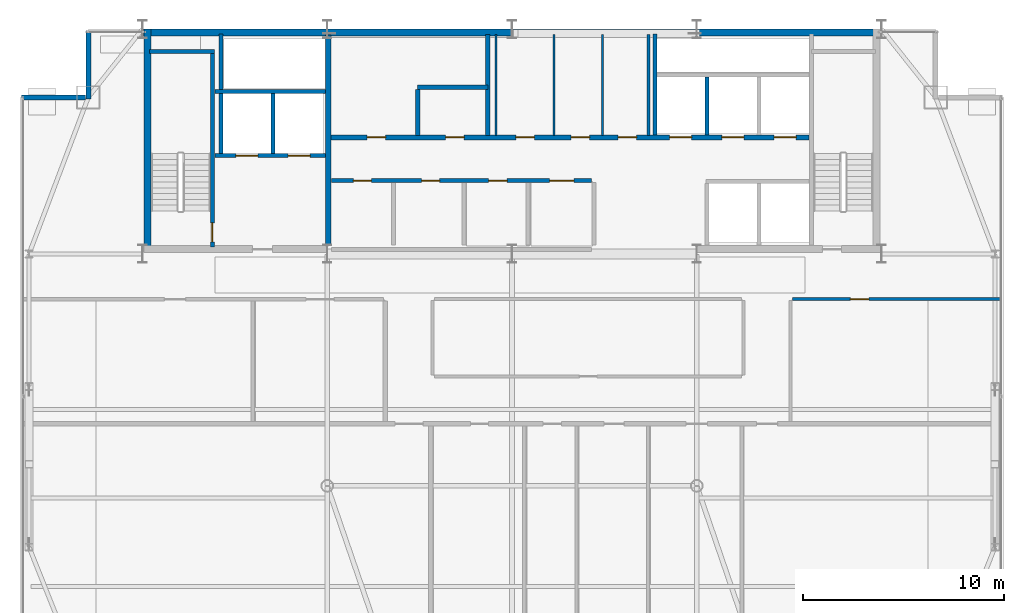
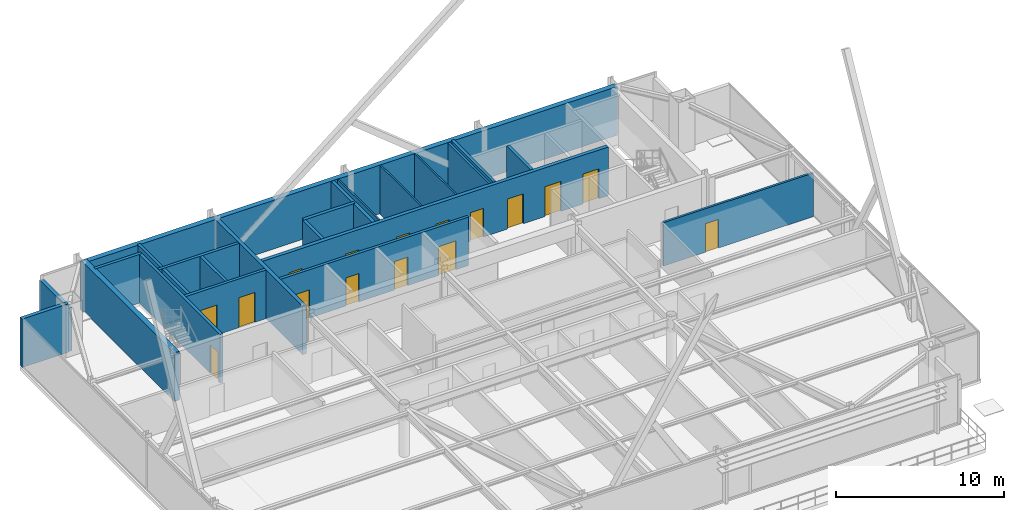
# One storey, part 29 of 33: 23 walls, 16 doors, 16 openings.
"""IFC4 building model written with IfcOpenShell, lengths in metres."""

from ifc_helpers import new_model, si_unit, direction, frame, frame_2d, origin, place, context, subcontext, project, spatial, rectangle, extrude, source, transform, mapped, material, layer, layer_set, type_object, type_shapes, element, fill, save


model = new_model("IFC4")

# Units and contexts
model_context = context("Model", 3, precision=1e-05, world=origin(), true_north=direction((0.0, 1.0)))
body_context = subcontext(model_context, "Body", "Model", "MODEL_VIEW")
ifc_project = project(units=[si_unit("LENGTHUNIT", "METRE"), si_unit("AREAUNIT", "SQUARE_METRE"), si_unit("VOLUMEUNIT", "CUBIC_METRE"), si_unit("PLANEANGLEUNIT", "RADIAN"), si_unit("MASSUNIT", "GRAM", prefix="KILO")], contexts=[model_context])

# Site, building, storey
site_placement = place(None, origin())
site = spatial("IfcSite", under=ifc_project, at=site_placement, CompositionType="ELEMENT")
building_placement = place(site_placement, origin())
building = spatial("IfcBuilding", under=site, at=building_placement, Name="Varnel Quay Broadcast Tower", CompositionType="ELEMENT")
storey_placement = place(building_placement, frame((0.0, 0.0, 199.800048828125)))
storey = spatial("IfcBuildingStorey", under=building, at=storey_placement, Name="L49", CompositionType="ELEMENT", Elevation=199.800048828125)

# Wall, opening, door
ifc_material_1 = material(Name="Concrete CSA A23.3 C50/60", Category="concrete")
ifc_layer_1 = layer(ifc_material_1, 0.199951171875, Name="Concrete CSA A23.3 C50/60")
ifc_layer_set_1 = layer_set([ifc_layer_1], Name="Concrete CSA A23.3 C50/60")
wall_type_1 = type_object("IfcWallType", Name="Wall_CoreShaftShear200", PredefinedType="SHEAR", material=ifc_layer_set_1)
wall_1_placement = place(storey_placement, frame((19.080078125, 35.949951171875, 0.0), z_axis=(0.0, 0.0, 1.0), x_axis=(0.0, 1.0, 0.0)))
wall_1 = element("IfcWall", 1, at=wall_1_placement, inside=storey, type_object=wall_type_1, Name="L49 Stair 1 East Structural Wall", PredefinedType="SHEAR", context=body_context, shape_type="SweptSolid", body=[
    extrude(rectangle(XDim=9.650146484375, YDim=0.199951171875, at=frame_2d((4.8251953125, 0.0))), origin(), (0.0, 0.0, 1.0), 3.550048828125),
])
opening_1_placement = place(wall_1_placement, frame((0.25, 0.0, 0.0)))
opening_1 = element("IfcOpeningElement", 2, at=opening_1_placement, cuts=wall_1, Name="Opening D-L49-S1", PredefinedType="OPENING", context=body_context, shape_type="SweptSolid", body=[
    extrude(rectangle(XDim=0.949951171875, YDim=2.10009765625, at=frame_2d((0.47509765625, 1.050048828125))), frame((0.0, 0.10986328125, 0.0), z_axis=(0.0, -1.0, 0.0), x_axis=(1.0, 0.0, 0.0)), (0.0, 0.0, 1.0), 0.219970703125),
])
ifc_material_2 = material(Name="Insulated Fire-Rated Hollow Steel Door", Category="steel")
door_type_1 = type_object("IfcDoorType", Name="Door_FireStair950", OperationType="NOTDEFINED", PredefinedType="DOOR", material=ifc_material_2)
shared_shape_1 = source(origin(), body_context, "Body", "SweptSolid", [
    extrude(rectangle(XDim=0.949951171875, YDim=2.10009765625, at=frame_2d((0.47509765625, 1.050048828125))), frame((0.0, 0.02490234375, 0.0), z_axis=(0.0, -1.0, 0.0), x_axis=(1.0, 0.0, 0.0)), (0.0, 0.0, 1.0), 0.050048828125),
])
type_shapes(door_type_1, [shared_shape_1])
door_1_placement = place(opening_1_placement, origin())
door_1 = element("IfcDoor", 3, at=door_1_placement, inside=storey, type_object=door_type_1, Name="L49 Stair 1 Fire Door", OperationType="SINGLE_SWING_LEFT", OverallHeight=2.10009765625, OverallWidth=0.949951171875, PredefinedType="DOOR", context=body_context, shape_type="MappedRepresentation", body=[
    mapped(shared_shape_1, transform((0.0, 0.0, 0.0), x_axis=(1.0, 0.0, 0.0), y_axis=(0.0, 1.0, 0.0), z_axis=(0.0, 0.0, 1.0), scale=1.0)),
])
fill(opening_1, door_1)

# Wall
wall_2_placement = place(storey_placement, frame((15.949951171875, 45.679931640625, 0.0), z_axis=(0.0, 0.0, 1.0), x_axis=(1.0, 0.0, 0.0)))
element("IfcWall", 4, at=wall_2_placement, inside=storey, type_object=wall_type_1, Name="L49 Stair 1 North Structural Wall", PredefinedType="SHEAR", context=body_context, shape_type="SweptSolid", body=[
    extrude(rectangle(XDim=3.22998046875, YDim=0.199951171875, at=frame_2d((1.614990234375, 0.0))), origin(), (0.0, 0.0, 1.0), 3.550048828125),
])

# Wall, openings, doors
wall_3_placement = place(storey_placement, frame((19.199951171875, 40.5, 0.0), z_axis=(0.0, 0.0, 1.0), x_axis=(1.0, 0.0, 0.0)))
wall_3 = element("IfcWall", 5, at=wall_3_placement, inside=storey, type_object=wall_type_1, Name="L49 Firefighter Lift Shaft Front Wall", PredefinedType="SHEAR", context=body_context, shape_type="SweptSolid", body=[
    extrude(rectangle(XDim=5.52001953125, YDim=0.199951171875, at=frame_2d((2.760009765625, 0.0))), origin(), (0.0, 0.0, 1.0), 3.550048828125),
])
opening_2_placement = place(wall_3_placement, frame((1.050048828125, 0.0, 0.0)))
opening_2 = element("IfcOpeningElement", 6, at=opening_2_placement, cuts=wall_3, Name="Opening LD-L49-FE1", PredefinedType="OPENING", context=body_context, shape_type="SweptSolid", body=[
    extrude(rectangle(XDim=1.10009765625, YDim=2.179931640625, at=frame_2d((0.550048828125, 1.08984375))), frame((0.0, 0.10986328125, 0.0), z_axis=(0.0, -1.0, 0.0), x_axis=(1.0, 0.0, 0.0)), (0.0, 0.0, 1.0), 0.219970703125),
])
opening_3_placement = place(wall_3_placement, frame((3.64990234375, 0.0, 0.0)))
opening_3 = element("IfcOpeningElement", 7, at=opening_3_placement, cuts=wall_3, Name="Opening LD-L49-FE2", PredefinedType="OPENING", context=body_context, shape_type="SweptSolid", body=[
    extrude(rectangle(XDim=1.10009765625, YDim=2.179931640625, at=frame_2d((0.550048828125, 1.08984375))), frame((0.0, 0.10986328125, 0.0), z_axis=(0.0, -1.0, 0.0), x_axis=(1.0, 0.0, 0.0)), (0.0, 0.0, 1.0), 0.219970703125),
])
ifc_material_3 = material(Name="Brushed Bronze-Stainless Lift Car & Sliding Doors", Category="steel")
door_type_2 = type_object("IfcDoorType", Name="Door_LiftLanding1100", OperationType="SLIDING_TO_LEFT", PredefinedType="DOOR", material=ifc_material_3)
shared_shape_2 = source(origin(), body_context, "Body", "SweptSolid", [
    extrude(rectangle(XDim=1.10009765625, YDim=2.179931640625, at=frame_2d((0.550048828125, 1.08984375))), frame((0.0, 0.02490234375, 0.0), z_axis=(0.0, -1.0, 0.0), x_axis=(1.0, 0.0, 0.0)), (0.0, 0.0, 1.0), 0.050048828125),
])
type_shapes(door_type_2, [shared_shape_2])
door_2_placement = place(opening_2_placement, frame((1.10009765625, 0.0, 0.0), z_axis=(0.0, 0.0, 1.0), x_axis=(-1.0, 0.0, 0.0)))
door_2 = element("IfcDoor", 8, at=door_2_placement, inside=storey, type_object=door_type_2, Name="L49 Firefighter Lift FE-01 Landing Door", OperationType="SLIDING_TO_LEFT", OverallHeight=2.179931640625, OverallWidth=1.10009765625, PredefinedType="DOOR", context=body_context, shape_type="MappedRepresentation", body=[
    mapped(shared_shape_2, transform((0.0, 0.0, 0.0), x_axis=(1.0, 0.0, 0.0), y_axis=(0.0, 1.0, 0.0), z_axis=(0.0, 0.0, 1.0), scale=1.0)),
])
fill(opening_2, door_2)
door_3_placement = place(opening_3_placement, frame((1.10009765625, 0.0, 0.0), z_axis=(0.0, 0.0, 1.0), x_axis=(-1.0, 0.0, 0.0)))
door_3 = element("IfcDoor", 9, at=door_3_placement, inside=storey, type_object=door_type_2, Name="L49 Firefighter Lift FE-02 Landing Door", OperationType="SLIDING_TO_RIGHT", OverallHeight=2.179931640625, OverallWidth=1.10009765625, PredefinedType="DOOR", context=body_context, shape_type="MappedRepresentation", body=[
    mapped(shared_shape_2, transform((0.0, 0.0, 0.0), x_axis=(1.0, 0.0, 0.0), y_axis=(0.0, 1.0, 0.0), z_axis=(0.0, 0.0, 1.0), scale=1.0)),
])
fill(opening_3, door_3)

# Walls
wall_4_placement = place(storey_placement, frame((19.199951171875, 43.699951171875, 0.0), z_axis=(0.0, 0.0, 1.0), x_axis=(1.0, 0.0, 0.0)))
element("IfcWall", 10, at=wall_4_placement, inside=storey, type_object=wall_type_1, Name="L49 Firefighter Lift Shaft Rear Wall", PredefinedType="SHEAR", context=body_context, shape_type="SweptSolid", body=[
    extrude(rectangle(XDim=5.52001953125, YDim=0.199951171875, at=frame_2d((2.760009765625, 0.0))), origin(), (0.0, 0.0, 1.0), 3.550048828125),
])
wall_5_placement = place(storey_placement, frame((22.10009765625, 40.60009765625, 0.0), z_axis=(0.0, 0.0, 1.0), x_axis=(0.0, 1.0, 0.0)))
element("IfcWall", 11, at=wall_5_placement, inside=storey, type_object=wall_type_1, Name="L49 Firefighter Lift Shaft Divider", PredefinedType="SHEAR", context=body_context, shape_type="SweptSolid", body=[
    extrude(rectangle(XDim=3.0, YDim=0.199951171875, at=frame_2d((1.5, 0.0))), origin(), (0.0, 0.0, 1.0), 3.550048828125),
])
wall_6_placement = place(storey_placement, frame((19.5, 40.60009765625, 0.0), z_axis=(0.0, 0.0, 1.0), x_axis=(0.0, 1.0, 0.0)))
element("IfcWall", 12, at=wall_6_placement, inside=storey, type_object=wall_type_1, Name="L49 Firefighter Lift Shaft West Wall", PredefinedType="SHEAR", context=body_context, shape_type="SweptSolid", body=[
    extrude(rectangle(XDim=5.949951171875, YDim=0.199951171875, at=frame_2d((2.97509765625, 0.0))), origin(), (0.0, 0.0, 1.0), 3.550048828125),
])
wall_7_placement = place(storey_placement, frame((41.1201171875, 41.530029296875, 0.0), z_axis=(0.0, 0.0, 1.0), x_axis=(0.0, 1.0, 0.0)))
element("IfcWall", 13, at=wall_7_placement, inside=storey, type_object=wall_type_1, Name="L49 High-Rise Lift Shaft Divider 1", PredefinedType="SHEAR", context=body_context, shape_type="SweptSolid", body=[
    extrude(rectangle(XDim=5.02001953125, YDim=0.199951171875, at=frame_2d((2.510009765625, 0.0))), origin(), (0.0, 0.0, 1.0), 3.550048828125),
])
wall_8_placement = place(storey_placement, frame((43.699951171875, 41.530029296875, 0.0), z_axis=(0.0, 0.0, 1.0), x_axis=(0.0, 1.0, 0.0)))
element("IfcWall", 14, at=wall_8_placement, inside=storey, type_object=wall_type_1, Name="L49 High-Rise Lift Shaft Divider 2", PredefinedType="SHEAR", context=body_context, shape_type="SweptSolid", body=[
    extrude(rectangle(XDim=2.869873046875, YDim=0.199951171875, at=frame_2d((1.43505859375, 0.0))), origin(), (0.0, 0.0, 1.0), 3.550048828125),
])
ifc_layer_2 = layer(ifc_material_1, 0.25, Name="Concrete CSA A23.3 C50/60")
ifc_layer_set_2 = layer_set([ifc_layer_2], Name="Concrete CSA A23.3 C50/60")
wall_type_2 = type_object("IfcWallType", Name="Wall_CoreShaftShear250", PredefinedType="SHEAR", material=ifc_layer_set_2)
wall_9_placement = place(storey_placement, frame((24.85009765625, 36.050048828125, 0.0), z_axis=(0.0, 0.0, 1.0), x_axis=(0.0, 1.0, 0.0)))
element("IfcWall", 15, at=wall_9_placement, inside=storey, type_object=wall_type_2, Name="L49 Firefighting Lobby East Structural Wall", PredefinedType="SHEAR", context=body_context, shape_type="SweptSolid", body=[
    extrude(rectangle(XDim=10.449951171875, YDim=0.25, at=frame_2d((5.22509765625, 0.0))), origin(), (0.0, 0.0, 1.0), 3.550048828125),
])

# Wall, openings, doors
wall_10_placement = place(storey_placement, frame((24.97998046875, 41.39990234375, 0.0), z_axis=(0.0, 0.0, 1.0), x_axis=(1.0, 0.0, 0.0)))
wall_10 = element("IfcWall", 16, at=wall_10_placement, inside=storey, type_object=wall_type_2, Name="L49 North Lift Bank & Reclaimed Suite Wall", PredefinedType="SHEAR", context=body_context, shape_type="SweptSolid", body=[
    extrude(rectangle(XDim=23.820068359375, YDim=0.25, at=frame_2d((11.91015625, 0.0))), origin(), (0.0, 0.0, 1.0), 3.550048828125),
])
opening_4_placement = place(wall_10_placement, frame((16.8701171875, 0.0, 0.0)))
opening_4 = element("IfcOpeningElement", 17, at=opening_4_placement, cuts=wall_10, Name="Opening LD-L49-PH-01", PredefinedType="OPENING", context=body_context, shape_type="SweptSolid", body=[
    extrude(rectangle(XDim=1.10009765625, YDim=2.179931640625, at=frame_2d((0.550048828125, 1.08984375))), frame((0.0, 0.135009765625, 0.0), z_axis=(0.0, -1.0, 0.0), x_axis=(1.0, 0.0, 0.0)), (0.0, 0.0, 1.0), 0.27001953125),
])
opening_5_placement = place(wall_10_placement, frame((19.469970703125, 0.0, 0.0)))
opening_5 = element("IfcOpeningElement", 18, at=opening_5_placement, cuts=wall_10, Name="Opening LD-L49-PH-02", PredefinedType="OPENING", context=body_context, shape_type="SweptSolid", body=[
    extrude(rectangle(XDim=1.10009765625, YDim=2.179931640625, at=frame_2d((0.550048828125, 1.08984375))), frame((0.0, 0.135009765625, 0.0), z_axis=(0.0, -1.0, 0.0), x_axis=(1.0, 0.0, 0.0)), (0.0, 0.0, 1.0), 0.27001953125),
])
opening_6_placement = place(wall_10_placement, frame((22.070068359375, 0.0, 0.0)))
opening_6 = element("IfcOpeningElement", 19, at=opening_6_placement, cuts=wall_10, Name="Opening LD-L49-PH-03", PredefinedType="OPENING", context=body_context, shape_type="SweptSolid", body=[
    extrude(rectangle(XDim=1.10009765625, YDim=2.179931640625, at=frame_2d((0.550048828125, 1.08984375))), frame((0.0, 0.135009765625, 0.0), z_axis=(0.0, -1.0, 0.0), x_axis=(1.0, 0.0, 0.0)), (0.0, 0.0, 1.0), 0.27001953125),
])
opening_7_placement = place(wall_10_placement, frame((1.81005859375, 0.0, 0.0)))
opening_7 = element("IfcOpeningElement", 20, at=opening_7_placement, cuts=wall_10, Name="Opening D-L49-RECA1", PredefinedType="OPENING", context=body_context, shape_type="SweptSolid", body=[
    extrude(rectangle(XDim=0.919921875, YDim=2.080078125, at=frame_2d((0.4599609375, 1.0400390625))), frame((0.0, 0.135009765625, 0.0), z_axis=(0.0, -1.0, 0.0), x_axis=(1.0, 0.0, 0.0)), (0.0, 0.0, 1.0), 0.27001953125),
])
opening_8_placement = place(wall_10_placement, frame((5.7099609375, 0.0, 0.0)))
opening_8 = element("IfcOpeningElement", 21, at=opening_8_placement, cuts=wall_10, Name="Opening D-L49-RECA2", PredefinedType="OPENING", context=body_context, shape_type="SweptSolid", body=[
    extrude(rectangle(XDim=0.919921875, YDim=2.080078125, at=frame_2d((0.4599609375, 1.0400390625))), frame((0.0, 0.135009765625, 0.0), z_axis=(0.0, -1.0, 0.0), x_axis=(1.0, 0.0, 0.0)), (0.0, 0.0, 1.0), 0.27001953125),
])
opening_9_placement = place(wall_10_placement, frame((9.2099609375, 0.0, 0.0)))
opening_9 = element("IfcOpeningElement", 22, at=opening_9_placement, cuts=wall_10, Name="Opening D-L49-RECB1", PredefinedType="OPENING", context=body_context, shape_type="SweptSolid", body=[
    extrude(rectangle(XDim=0.919921875, YDim=2.080078125, at=frame_2d((0.4599609375, 1.0400390625))), frame((0.0, 0.135009765625, 0.0), z_axis=(0.0, -1.0, 0.0), x_axis=(1.0, 0.0, 0.0)), (0.0, 0.0, 1.0), 0.27001953125),
])
opening_10_placement = place(wall_10_placement, frame((11.9599609375, 0.0, 0.0)))
opening_10 = element("IfcOpeningElement", 23, at=opening_10_placement, cuts=wall_10, Name="Opening D-L49-RECB2", PredefinedType="OPENING", context=body_context, shape_type="SweptSolid", body=[
    extrude(rectangle(XDim=0.919921875, YDim=2.080078125, at=frame_2d((0.4599609375, 1.0400390625))), frame((0.0, 0.135009765625, 0.0), z_axis=(0.0, -1.0, 0.0), x_axis=(1.0, 0.0, 0.0)), (0.0, 0.0, 1.0), 0.27001953125),
])
opening_11_placement = place(wall_10_placement, frame((14.31005859375, 0.0, 0.0)))
opening_11 = element("IfcOpeningElement", 24, at=opening_11_placement, cuts=wall_10, Name="Opening D-L49-RECB3", PredefinedType="OPENING", context=body_context, shape_type="SweptSolid", body=[
    extrude(rectangle(XDim=0.919921875, YDim=2.080078125, at=frame_2d((0.4599609375, 1.0400390625))), frame((0.0, 0.135009765625, 0.0), z_axis=(0.0, -1.0, 0.0), x_axis=(1.0, 0.0, 0.0)), (0.0, 0.0, 1.0), 0.27001953125),
])
door_4_placement = place(opening_4_placement, frame((1.10009765625, 0.0, 0.0), z_axis=(0.0, 0.0, 1.0), x_axis=(-1.0, 0.0, 0.0)))
door_4 = element("IfcDoor", 25, at=door_4_placement, inside=storey, type_object=door_type_2, Name="L49 Lift PH-01 Landing Door", OperationType="SLIDING_TO_LEFT", OverallHeight=2.179931640625, OverallWidth=1.10009765625, PredefinedType="DOOR", context=body_context, shape_type="MappedRepresentation", body=[
    mapped(shared_shape_2, transform((0.0, 0.0, 0.0), x_axis=(1.0, 0.0, 0.0), y_axis=(0.0, 1.0, 0.0), z_axis=(0.0, 0.0, 1.0), scale=1.0)),
])
fill(opening_4, door_4)
door_5_placement = place(opening_5_placement, frame((1.10009765625, 0.0, 0.0), z_axis=(0.0, 0.0, 1.0), x_axis=(-1.0, 0.0, 0.0)))
door_5 = element("IfcDoor", 26, at=door_5_placement, inside=storey, type_object=door_type_2, Name="L49 Lift PH-02 Landing Door", OperationType="SLIDING_TO_LEFT", OverallHeight=2.179931640625, OverallWidth=1.10009765625, PredefinedType="DOOR", context=body_context, shape_type="MappedRepresentation", body=[
    mapped(shared_shape_2, transform((0.0, 0.0, 0.0), x_axis=(1.0, 0.0, 0.0), y_axis=(0.0, 1.0, 0.0), z_axis=(0.0, 0.0, 1.0), scale=1.0)),
])
fill(opening_5, door_5)
door_6_placement = place(opening_6_placement, frame((1.10009765625, 0.0, 0.0), z_axis=(0.0, 0.0, 1.0), x_axis=(-1.0, 0.0, 0.0)))
door_6 = element("IfcDoor", 27, at=door_6_placement, inside=storey, type_object=door_type_2, Name="L49 Lift PH-03 Landing Door", OperationType="SLIDING_TO_LEFT", OverallHeight=2.179931640625, OverallWidth=1.10009765625, PredefinedType="DOOR", context=body_context, shape_type="MappedRepresentation", body=[
    mapped(shared_shape_2, transform((0.0, 0.0, 0.0), x_axis=(1.0, 0.0, 0.0), y_axis=(0.0, 1.0, 0.0), z_axis=(0.0, 0.0, 1.0), scale=1.0)),
])
fill(opening_6, door_6)
ifc_material_4 = material(Name="Solid-Core Fire-Rated Acoustic Oak Veneer Door", Category="wood")
door_type_3 = type_object("IfcDoorType", Name="Door_Office920", OperationType="NOTDEFINED", PredefinedType="DOOR", material=ifc_material_4)
shared_shape_3 = source(origin(), body_context, "Body", "SweptSolid", [
    extrude(rectangle(XDim=0.919921875, YDim=2.080078125, at=frame_2d((0.4599609375, 1.0400390625))), frame((0.0, 0.02490234375, 0.0), z_axis=(0.0, -1.0, 0.0), x_axis=(1.0, 0.0, 0.0)), (0.0, 0.0, 1.0), 0.050048828125),
])
type_shapes(door_type_3, [shared_shape_3])
door_7_placement = place(opening_7_placement, origin())
door_7 = element("IfcDoor", 28, at=door_7_placement, inside=storey, type_object=door_type_3, Name="L49 Signal Routing Suite Door", OperationType="SINGLE_SWING_RIGHT", OverallHeight=2.080078125, OverallWidth=0.919921875, PredefinedType="DOOR", context=body_context, shape_type="MappedRepresentation", body=[
    mapped(shared_shape_3, transform((0.0, 0.0, 0.0), x_axis=(1.0, 0.0, 0.0), y_axis=(0.0, 1.0, 0.0), z_axis=(0.0, 0.0, 1.0), scale=1.0)),
])
fill(opening_7, door_7)
door_8_placement = place(opening_8_placement, origin())
door_8 = element("IfcDoor", 29, at=door_8_placement, inside=storey, type_object=door_type_3, Name="L49 Archive Media Store Door", OperationType="SINGLE_SWING_LEFT", OverallHeight=2.080078125, OverallWidth=0.919921875, PredefinedType="DOOR", context=body_context, shape_type="MappedRepresentation", body=[
    mapped(shared_shape_3, transform((0.0, 0.0, 0.0), x_axis=(1.0, 0.0, 0.0), y_axis=(0.0, 1.0, 0.0), z_axis=(0.0, 0.0, 1.0), scale=1.0)),
])
fill(opening_8, door_8)
door_9_placement = place(opening_9_placement, origin())
door_9 = element("IfcDoor", 30, at=door_9_placement, inside=storey, type_object=door_type_3, Name="L49 Audio Patch Closet Door", OperationType="SINGLE_SWING_RIGHT", OverallHeight=2.080078125, OverallWidth=0.919921875, PredefinedType="DOOR", context=body_context, shape_type="MappedRepresentation", body=[
    mapped(shared_shape_3, transform((0.0, 0.0, 0.0), x_axis=(1.0, 0.0, 0.0), y_axis=(0.0, 1.0, 0.0), z_axis=(0.0, 0.0, 1.0), scale=1.0)),
])
fill(opening_9, door_9)
door_10_placement = place(opening_10_placement, origin())
door_10 = element("IfcDoor", 31, at=door_10_placement, inside=storey, type_object=door_type_3, Name="L49 Bureau Reference Archive Door", OperationType="SINGLE_SWING_LEFT", OverallHeight=2.080078125, OverallWidth=0.919921875, PredefinedType="DOOR", context=body_context, shape_type="MappedRepresentation", body=[
    mapped(shared_shape_3, transform((0.0, 0.0, 0.0), x_axis=(1.0, 0.0, 0.0), y_axis=(0.0, 1.0, 0.0), z_axis=(0.0, 0.0, 1.0), scale=1.0)),
])
fill(opening_10, door_10)
door_11_placement = place(opening_11_placement, origin())
door_11 = element("IfcDoor", 32, at=door_11_placement, inside=storey, type_object=door_type_3, Name="L49 Crew Espresso Niche Door", OperationType="SINGLE_SWING_RIGHT", OverallHeight=2.080078125, OverallWidth=0.919921875, PredefinedType="DOOR", context=body_context, shape_type="MappedRepresentation", body=[
    mapped(shared_shape_3, transform((0.0, 0.0, 0.0), x_axis=(1.0, 0.0, 0.0), y_axis=(0.0, 1.0, 0.0), z_axis=(0.0, 0.0, 1.0), scale=1.0)),
])
fill(opening_11, door_11)

# Walls
ifc_layer_3 = layer(ifc_material_1, 0.35009765625, Name="Concrete CSA A23.3 C50/60")
ifc_layer_set_3 = layer_set([ifc_layer_3], Name="Concrete CSA A23.3 C50/60")
wall_type_3 = type_object("IfcWallType", Name="Wall_CoreShearExt350", PredefinedType="SHEAR", material=ifc_layer_set_3)
wall_11_placement = place(storey_placement, frame((15.60009765625, 46.625, 0.0), z_axis=(0.0, 0.0, 1.0), x_axis=(1.0, 0.0, 0.0)))
element("IfcWall", 33, at=wall_11_placement, inside=storey, type_object=wall_type_3, Name="L49 North Core Shear Wall", PredefinedType="SHEAR", context=body_context, shape_type="SweptSolid", body=[
    extrude(rectangle(XDim=36.7998046875, YDim=0.35009765625, at=frame_2d((18.39990234375, 0.0))), origin(), (0.0, 0.0, 1.0), 3.550048828125),
])
ifc_layer_4 = layer(ifc_material_1, 0.35009765625, Name="Concrete CSA A23.3 C50/60")
ifc_layer_set_4 = layer_set([ifc_layer_4], Name="Concrete CSA A23.3 C50/60")
wall_type_4 = type_object("IfcWallType", Name="Wall_CoreShearInt350", PredefinedType="SHEAR", material=ifc_layer_set_4)
wall_12_placement = place(storey_placement, frame((15.844970703125, 35.669921875, 0.0), z_axis=(0.0, 0.0, 1.0), x_axis=(0.0, 1.0, 0.0)))
element("IfcWall", 34, at=wall_12_placement, inside=storey, type_object=wall_type_4, Name="L49 West Core Shear Wall", PredefinedType="SHEAR", context=body_context, shape_type="SweptSolid", body=[
    extrude(rectangle(XDim=11.130126953125, YDim=0.35009765625, at=frame_2d((5.56494140625, 0.0))), origin(), (0.0, 0.0, 1.0), 3.550048828125),
])
ifc_material_5 = material(Name="Precast Architectural Concrete C40/50", Category="concrete")
ifc_layer_5 = layer(ifc_material_5, 0.25, Name="Precast Architectural Concrete C40/50")
ifc_layer_set_5 = layer_set([ifc_layer_5], Name="Precast Architectural Concrete C40/50")
wall_type_5 = type_object("IfcWallType", Name="Wall_ExtTerrace250", PredefinedType="SOLIDWALL", material=ifc_layer_set_5)
wall_13_placement = place(storey_placement, frame((9.580078125, 43.39990234375, 0.0), z_axis=(0.0, 0.0, 1.0), x_axis=(1.0, 0.0, 0.0)))
element("IfcWall", 35, at=wall_13_placement, inside=storey, type_object=wall_type_5, Name="L49 Mega-Column Notch Cladding Wall NNW1", PredefinedType="SOLIDWALL", context=body_context, shape_type="SweptSolid", body=[
    extrude(rectangle(XDim=3.18994140625, YDim=0.25, at=frame_2d((1.594970703125, 0.0))), origin(), (0.0, 0.0, 1.0), 3.530029296875),
])
wall_14_placement = place(storey_placement, frame((12.89990234375, 43.320068359375, 0.0), z_axis=(0.0, 0.0, 1.0), x_axis=(0.0, 1.0, 0.0)))
element("IfcWall", 36, at=wall_14_placement, inside=storey, type_object=wall_type_5, Name="L49 Mega-Column Notch Cladding Wall NNW2", PredefinedType="SOLIDWALL", context=body_context, shape_type="SweptSolid", body=[
    extrude(rectangle(XDim=3.39990234375, YDim=0.25, at=frame_2d((1.699951171875, 0.0))), origin(), (0.0, 0.0, 1.0), 3.1708984375),
])

# Wall, openings, doors
ifc_material_6 = material(Name="Concrete Blockwork Fire Enclosure C40/50", Category="masonry")
ifc_layer_6 = layer(ifc_material_6, 0.199951171875, Name="Concrete Blockwork Fire Enclosure C40/50")
ifc_layer_set_6 = layer_set([ifc_layer_6], Name="Concrete Blockwork Fire Enclosure C40/50")
wall_type_6 = type_object("IfcWallType", Name="Wall_FireShaft200", PredefinedType="SOLIDWALL", material=ifc_layer_set_6)
wall_15_placement = place(storey_placement, frame((25.0, 39.25, 0.0), z_axis=(0.0, 0.0, 1.0), x_axis=(1.0, 0.0, 0.0)))
wall_15 = element("IfcWall", 37, at=wall_15_placement, inside=storey, type_object=wall_type_6, Name="L49 Accessible Universal Washroom Partition 3", PredefinedType="SOLIDWALL", context=body_context, shape_type="SweptSolid", body=[
    extrude(rectangle(XDim=12.949951171875, YDim=0.199951171875, at=frame_2d((6.47509765625, 0.0))), origin(), (0.0, 0.0, 1.0), 3.530029296875),
])
opening_12_placement = place(wall_15_placement, frame((1.10009765625, 0.0, 0.0)))
opening_12 = element("IfcOpeningElement", 38, at=opening_12_placement, cuts=wall_15, Name="Opening D-L49-01", PredefinedType="OPENING", context=body_context, shape_type="SweptSolid", body=[
    extrude(rectangle(XDim=0.89990234375, YDim=2.06005859375, at=frame_2d((0.449951171875, 1.030029296875))), frame((0.0, 0.10986328125, 0.0), z_axis=(0.0, -1.0, 0.0), x_axis=(1.0, 0.0, 0.0)), (0.0, 0.0, 1.0), 0.219970703125),
])
opening_13_placement = place(wall_15_placement, frame((4.5, 0.0, 0.0)))
opening_13 = element("IfcOpeningElement", 39, at=opening_13_placement, cuts=wall_15, Name="Opening D-L49-02", PredefinedType="OPENING", context=body_context, shape_type="SweptSolid", body=[
    extrude(rectangle(XDim=0.89990234375, YDim=2.06005859375, at=frame_2d((0.449951171875, 1.030029296875))), frame((0.0, 0.10986328125, 0.0), z_axis=(0.0, -1.0, 0.0), x_axis=(1.0, 0.0, 0.0)), (0.0, 0.0, 1.0), 0.219970703125),
])
opening_14_placement = place(wall_15_placement, frame((7.840087890625, 0.0, 0.0)))
opening_14 = element("IfcOpeningElement", 40, at=opening_14_placement, cuts=wall_15, Name="Opening D-L49-03", PredefinedType="OPENING", context=body_context, shape_type="SweptSolid", body=[
    extrude(rectangle(XDim=0.919921875, YDim=2.080078125, at=frame_2d((0.4599609375, 1.0400390625))), frame((0.0, 0.10986328125, 0.0), z_axis=(0.0, -1.0, 0.0), x_axis=(1.0, 0.0, 0.0)), (0.0, 0.0, 1.0), 0.219970703125),
])
opening_15_placement = place(wall_15_placement, frame((10.875, 0.0, 0.0)))
opening_15 = element("IfcOpeningElement", 41, at=opening_15_placement, cuts=wall_15, Name="Opening D-L49-04", PredefinedType="OPENING", context=body_context, shape_type="SweptSolid", body=[
    extrude(rectangle(XDim=1.199951171875, YDim=2.10009765625, at=frame_2d((0.60009765625, 1.050048828125))), frame((0.0, 0.10986328125, 0.0), z_axis=(0.0, -1.0, 0.0), x_axis=(1.0, 0.0, 0.0)), (0.0, 0.0, 1.0), 0.219970703125),
])
door_type_4 = type_object("IfcDoorType", Name="Door_Washroom900", OperationType="NOTDEFINED", PredefinedType="DOOR", material=ifc_material_4)
shared_shape_4 = source(origin(), body_context, "Body", "SweptSolid", [
    extrude(rectangle(XDim=0.89990234375, YDim=2.06005859375, at=frame_2d((0.449951171875, 1.030029296875))), frame((0.0, 0.02490234375, 0.0), z_axis=(0.0, -1.0, 0.0), x_axis=(1.0, 0.0, 0.0)), (0.0, 0.0, 1.0), 0.050048828125),
])
type_shapes(door_type_4, [shared_shape_4])
door_12_placement = place(opening_12_placement, frame((0.89990234375, 0.0, 0.0), z_axis=(0.0, 0.0, 1.0), x_axis=(-1.0, 0.0, 0.0)))
door_12 = element("IfcDoor", 42, at=door_12_placement, inside=storey, type_object=door_type_4, Name="L49 Accessible Universal Washroom Door D-L49-01", OperationType="SINGLE_SWING_LEFT", OverallHeight=2.06005859375, OverallWidth=0.89990234375, PredefinedType="DOOR", context=body_context, shape_type="MappedRepresentation", body=[
    mapped(shared_shape_4, transform((0.0, 0.0, 0.0), x_axis=(1.0, 0.0, 0.0), y_axis=(0.0, 1.0, 0.0), z_axis=(0.0, 0.0, 1.0), scale=1.0)),
])
fill(opening_12, door_12)
door_13_placement = place(opening_13_placement, frame((0.89990234375, 0.0, 0.0), z_axis=(0.0, 0.0, 1.0), x_axis=(-1.0, 0.0, 0.0)))
door_13 = element("IfcDoor", 43, at=door_13_placement, inside=storey, type_object=door_type_4, Name="L49 Staff Washroom Block Door D-L49-02", OperationType="SINGLE_SWING_RIGHT", OverallHeight=2.06005859375, OverallWidth=0.89990234375, PredefinedType="DOOR", context=body_context, shape_type="MappedRepresentation", body=[
    mapped(shared_shape_4, transform((0.0, 0.0, 0.0), x_axis=(1.0, 0.0, 0.0), y_axis=(0.0, 1.0, 0.0), z_axis=(0.0, 0.0, 1.0), scale=1.0)),
])
fill(opening_13, door_13)
door_type_5 = type_object("IfcDoorType", Name="Door_Plant1200", OperationType="NOTDEFINED", PredefinedType="DOOR", material=ifc_material_2)
shared_shape_5 = source(origin(), body_context, "Body", "SweptSolid", [
    extrude(rectangle(XDim=1.199951171875, YDim=2.10009765625, at=frame_2d((0.60009765625, 1.050048828125))), frame((0.0, 0.02490234375, 0.0), z_axis=(0.0, -1.0, 0.0), x_axis=(1.0, 0.0, 0.0)), (0.0, 0.0, 1.0), 0.050048828125),
])
type_shapes(door_type_5, [shared_shape_5])
door_14_placement = place(opening_15_placement, origin())
door_14 = element("IfcDoor", 44, at=door_14_placement, inside=storey, type_object=door_type_5, Name="L49 Zone Lighting Dimmer Room Door D-L49-04", OperationType="SINGLE_SWING_RIGHT", OverallHeight=2.10009765625, OverallWidth=1.199951171875, PredefinedType="DOOR", context=body_context, shape_type="MappedRepresentation", body=[
    mapped(shared_shape_5, transform((0.0, 0.0, 0.0), x_axis=(1.0, 0.0, 0.0), y_axis=(0.0, 1.0, 0.0), z_axis=(0.0, 0.0, 1.0), scale=1.0)),
])
fill(opening_15, door_14)
door_15_placement = place(opening_14_placement, frame((0.919921875, 0.0, 0.0), z_axis=(0.0, 0.0, 1.0), x_axis=(-1.0, 0.0, 0.0)))
door_15 = element("IfcDoor", 45, at=door_15_placement, inside=storey, type_object=door_type_3, Name="L49 Broadcast First-Aid & Quiet Room Door D-L49-03", OperationType="SINGLE_SWING_LEFT", OverallHeight=2.080078125, OverallWidth=0.919921875, PredefinedType="DOOR", context=body_context, shape_type="MappedRepresentation", body=[
    mapped(shared_shape_3, transform((0.0, 0.0, 0.0), x_axis=(1.0, 0.0, 0.0), y_axis=(0.0, 1.0, 0.0), z_axis=(0.0, 0.0, 1.0), scale=1.0)),
])
fill(opening_14, door_15)

# Walls
ifc_material_7 = material(Name="Steel-Stud Fire-Rated Acoustic Gypsum Partition Assembly", Category="steel")
ifc_layer_7 = layer(ifc_material_7, 0.10498046875, Name="Steel-Stud Fire-Rated Acoustic Gypsum Partition Assembly")
ifc_layer_set_7 = layer_set([ifc_layer_7], Name="Steel-Stud Fire-Rated Acoustic Gypsum Partition Assembly")
wall_type_7 = type_object("IfcWallType", Name="Wall_Partition105", PredefinedType="PARTITIONING", material=ifc_layer_set_7)
for number, where, z_axis, x_axis, name in (
    (46, (36.10009765625, 41.5, 0.0), (0.0, 0.0, 1.0), (0.0, 1.0, 0.0), "L49 Audio Patch Closet Partition 25"),
    (47, (33.199951171875, 41.5, 0.0), (0.0, 0.0, 1.0), (0.0, 1.0, 0.0), "L49 Audio Patch Closet Partition 26"),
    (48, (38.5, 41.5, 0.0), (0.0, 0.0, 1.0), (0.0, 1.0, 0.0), "L49 Bureau Reference Archive Partition 27"),
):
    element("IfcWall", number, at=place(storey_placement, frame(where, z_axis=z_axis, x_axis=x_axis)), inside=storey, type_object=wall_type_7, Name=name, PredefinedType="PARTITIONING", context=body_context, shape_type="SweptSolid", body=[
        extrude(rectangle(XDim=5.02001953125, YDim=0.10498046875, at=frame_2d((2.510009765625, 0.0))), origin(), (0.0, 0.0, 1.0), 3.530029296875),
    ])

# Wall, opening, door
ifc_layer_8 = layer(ifc_material_7, 0.14990234375, Name="Steel-Stud Fire-Rated Acoustic Gypsum Partition Assembly")
ifc_layer_set_8 = layer_set([ifc_layer_8], Name="Steel-Stud Fire-Rated Acoustic Gypsum Partition Assembly")
wall_type_8 = type_object("IfcWallType", Name="Wall_Partition150", PredefinedType="PARTITIONING", material=ifc_layer_set_8)
wall_16_placement = place(storey_placement, frame((47.97998046875, 33.35009765625, 0.0), z_axis=(0.0, 0.0, 1.0), x_axis=(1.0, 0.0, 0.0)))
wall_16 = element("IfcWall", 49, at=wall_16_placement, inside=storey, type_object=wall_type_8, Name="L49 Bureau Office 10 Partition 20", PredefinedType="PARTITIONING", context=body_context, shape_type="SweptSolid", body=[
    extrude(rectangle(XDim=10.340087890625, YDim=0.14990234375, at=frame_2d((5.169921875, 0.0))), origin(), (0.0, 0.0, 1.0), 3.1708984375),
])
opening_16_placement = place(wall_16_placement, frame((2.875, 0.0, 0.0)))
opening_16 = element("IfcOpeningElement", 50, at=opening_16_placement, cuts=wall_16, Name="Opening D-L49-14", PredefinedType="OPENING", context=body_context, shape_type="SweptSolid", body=[
    extrude(rectangle(XDim=0.919921875, YDim=2.080078125, at=frame_2d((0.4599609375, 1.0400390625))), frame((0.0, 0.0849609375, 0.0), z_axis=(0.0, -1.0, 0.0), x_axis=(1.0, 0.0, 0.0)), (0.0, 0.0, 1.0), 0.169921875),
])
door_16_placement = place(opening_16_placement, frame((0.919921875, 0.0, 0.0), z_axis=(0.0, 0.0, 1.0), x_axis=(-1.0, 0.0, 0.0)))
door_16 = element("IfcDoor", 51, at=door_16_placement, inside=storey, type_object=door_type_3, Name="L49 Bureau Office 10 Door D-L49-14", OperationType="SINGLE_SWING_RIGHT", OverallHeight=2.080078125, OverallWidth=0.919921875, PredefinedType="DOOR", context=body_context, shape_type="MappedRepresentation", body=[
    mapped(shared_shape_3, transform((0.0, 0.0, 0.0), x_axis=(1.0, 0.0, 0.0), y_axis=(0.0, 1.0, 0.0), z_axis=(0.0, 0.0, 1.0), scale=1.0)),
])
fill(opening_16, door_16)

# Walls
wall_17_placement = place(storey_placement, frame((40.800048828125, 41.5, 0.0), z_axis=(0.0, 0.0, 1.0), x_axis=(0.0, 1.0, 0.0)))
element("IfcWall", 52, at=wall_17_placement, inside=storey, type_object=wall_type_8, Name="L49 Crew Espresso Niche Partition 28", PredefinedType="PARTITIONING", context=body_context, shape_type="SweptSolid", body=[
    extrude(rectangle(XDim=5.02001953125, YDim=0.14990234375, at=frame_2d((2.510009765625, 0.0))), origin(), (0.0, 0.0, 1.0), 3.530029296875),
])
ifc_layer_9 = layer(ifc_material_7, 0.22509765625, Name="Steel-Stud Fire-Rated Acoustic Gypsum Partition Assembly")
ifc_layer_set_9 = layer_set([ifc_layer_9], Name="Steel-Stud Fire-Rated Acoustic Gypsum Partition Assembly")
wall_type_9 = type_object("IfcWallType", Name="Wall_Partition225", PredefinedType="PARTITIONING", material=ifc_layer_set_9)
wall_18_placement = place(storey_placement, frame((29.300048828125, 41.5, 0.0), z_axis=(0.0, 0.0, 1.0), x_axis=(0.0, 1.0, 0.0)))
element("IfcWall", 53, at=wall_18_placement, inside=storey, type_object=wall_type_9, Name="L49 Signal Routing Suite Partition 22", PredefinedType="PARTITIONING", context=body_context, shape_type="SweptSolid", body=[
    extrude(rectangle(XDim=2.2880859375, YDim=0.22509765625, at=frame_2d((1.14404296875, 0.0))), origin(), (0.0, 0.0, 1.0), 3.530029296875),
])
wall_19_placement = place(storey_placement, frame((29.300048828125, 43.89990234375, 0.0), z_axis=(0.0, 0.0, 1.0), x_axis=(1.0, 0.0, 0.0)))
element("IfcWall", 54, at=wall_19_placement, inside=storey, type_object=wall_type_9, Name="L49 Signal Routing Suite Partition 23", PredefinedType="PARTITIONING", context=body_context, shape_type="SweptSolid", body=[
    extrude(rectangle(XDim=3.5, YDim=0.22509765625, at=frame_2d((1.75, 0.0))), origin(), (0.0, 0.0, 1.0), 3.530029296875),
])
wall_20_placement = place(storey_placement, frame((32.800048828125, 41.5, 0.0), z_axis=(0.0, 0.0, 1.0), x_axis=(0.0, 1.0, 0.0)))
element("IfcWall", 55, at=wall_20_placement, inside=storey, type_object=wall_type_9, Name="L49 Signal Routing Suite Partition 24", PredefinedType="PARTITIONING", context=body_context, shape_type="SweptSolid", body=[
    extrude(rectangle(XDim=5.02001953125, YDim=0.22509765625, at=frame_2d((2.510009765625, 0.0))), origin(), (0.0, 0.0, 1.0), 3.530029296875),
])

save(model, "model.ifc")
